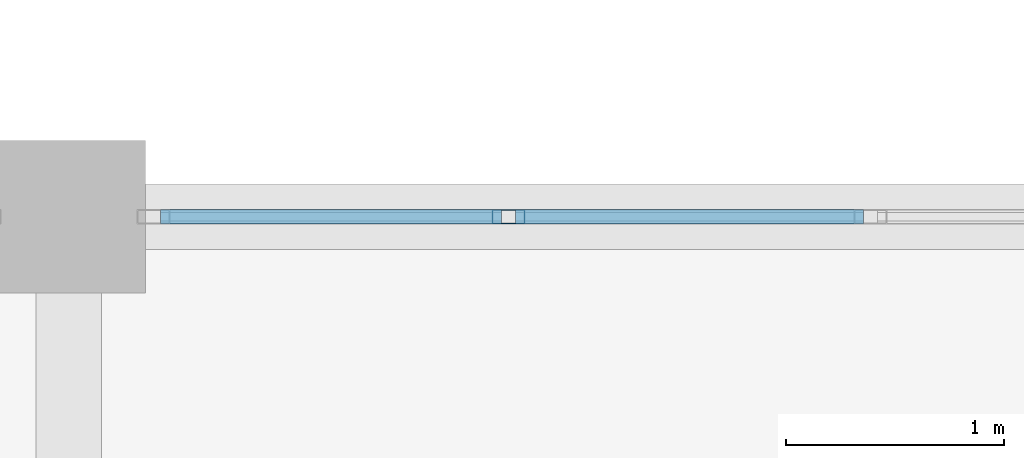
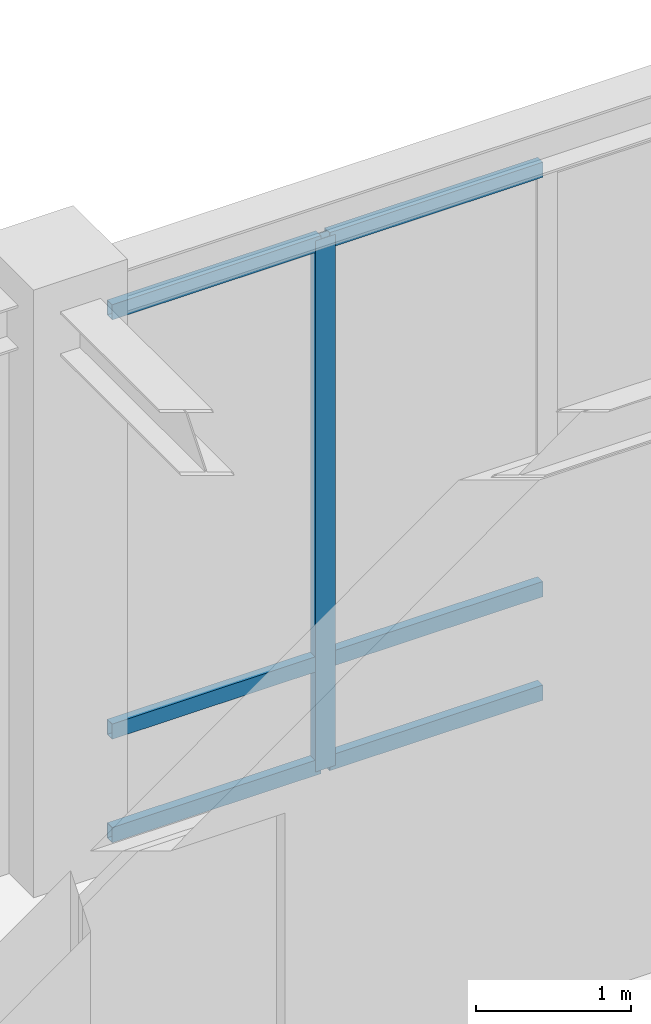
# One storey, part 41 of 92: 7 members, 1 element without a shape of its own.
"""IFC4 building model written with IfcOpenShell, lengths in metres."""

from ifc_helpers import new_model, si_unit, direction, frame, origin, origin_2d, place, context, subcontext, project, spatial, hollow_rectangle, extrude, material, material_profile, profile_set, type_object, element, aggregate, save


model = new_model("IFC4")

# Units and contexts
model_context = context("Model", 3, precision=1e-05, world=origin(), true_north=direction((0.0, 1.0)))
body_context = subcontext(model_context, "Body", "Model", "MODEL_VIEW")
ifc_project = project(units=[si_unit("LENGTHUNIT", "METRE"), si_unit("AREAUNIT", "SQUARE_METRE"), si_unit("VOLUMEUNIT", "CUBIC_METRE"), si_unit("PLANEANGLEUNIT", "RADIAN"), si_unit("MASSUNIT", "GRAM", prefix="KILO")], contexts=[model_context])

# Site, building, storey
site_placement = place(None, origin())
site = spatial("IfcSite", under=ifc_project, at=site_placement, CompositionType="ELEMENT")
building_placement = place(site_placement, origin())
building = spatial("IfcBuilding", under=site, at=building_placement, Name="Lykobir Media Centre", CompositionType="ELEMENT")
storey_placement = place(building_placement, frame((0.0, 0.0, 5.39990234375)))
storey = spatial("IfcBuildingStorey", under=building, at=storey_placement, Name="L01", CompositionType="ELEMENT", Elevation=5.39990234375)

# Curtain wall, members
ifc_material = material(Name="Anodized Aluminium AW-6060", Category="aluminium")
curtain_wall_type = type_object("IfcCurtainWallType", Name="CW-COURT-A", PredefinedType="NOTDEFINED", material=ifc_material)
curtain_wall_placement = place(storey_placement, origin())
curtain_wall = element("IfcCurtainWall", 1, at=curtain_wall_placement, inside=storey, type_object=curtain_wall_type, Name="Curtain wall CW2-L01-0029", PredefinedType="NOTDEFINED")
ifc_material_profile_1 = material_profile(ifc_material, hollow_rectangle(XDim=0.06494140625, YDim=0.14990234375, WallThickness=0.00341796875, at=origin_2d()), Name="ALU MULLION 65x150")
ifc_profile_set_1 = profile_set([ifc_material_profile_1], Name="Anodized Aluminium AW-6060")
member_type_1 = type_object("IfcMemberType", Name="CWM-150", PredefinedType="MULLION", material=ifc_profile_set_1)
member_1_placement = place(storey_placement, frame((110.012939453125, 18.0, 0.0), z_axis=(0.0, 0.0, 1.0), x_axis=(0.0, 1.0, 0.0)))
member_1 = element("IfcMember", 2, at=member_1_placement, type_object=member_type_1, Name="CW2-L01-0029 mullion 2", PredefinedType="MULLION", context=body_context, shape_type="SweptSolid", body=[
    extrude(hollow_rectangle(XDim=0.06494140625, YDim=0.14990234375, WallThickness=0.00341796875, at=origin_2d()), origin(), (0.0, 0.0, 1.0), 4.195068359375),
])
ifc_material_profile_2 = material_profile(ifc_material, hollow_rectangle(XDim=0.06494140625, YDim=0.1201171875, WallThickness=0.0029296875, at=origin_2d()), Name="ALU TRANSOM 65x120")
ifc_profile_set_2 = profile_set([ifc_material_profile_2], Name="Anodized Aluminium AW-6060")
member_type_2 = type_object("IfcMemberType", Name="CWT-120", PredefinedType="USERDEFINED", material=ifc_profile_set_2)
member_2_placement = place(storey_placement, frame((108.419921875, 18.0, 0.03271484375), z_axis=(1.0, 0.0, 0.0), x_axis=(0.0, 1.0, 0.0)))
member_2 = element("IfcMember", 3, at=member_2_placement, type_object=member_type_2, Name="CW2-L01-0029 transom 1.1", ObjectType="TRANSOM", PredefinedType="USERDEFINED", context=body_context, shape_type="SweptSolid", body=[
    extrude(hollow_rectangle(XDim=0.06494140625, YDim=0.1201171875, WallThickness=0.0029296875, at=origin_2d()), origin(), (0.0, 0.0, 1.0), 1.560546875),
])
member_3_placement = place(storey_placement, frame((108.419921875, 18.0, 0.85009765625), z_axis=(1.0, 0.0, 0.0), x_axis=(0.0, 1.0, 0.0)))
member_3 = element("IfcMember", 4, at=member_3_placement, type_object=member_type_2, Name="CW2-L01-0029 transom 1.2", ObjectType="TRANSOM", PredefinedType="USERDEFINED", context=body_context, shape_type="SweptSolid", body=[
    extrude(hollow_rectangle(XDim=0.06494140625, YDim=0.1201171875, WallThickness=0.0029296875, at=origin_2d()), origin(), (0.0, 0.0, 1.0), 1.560546875),
])
member_4_placement = place(storey_placement, frame((108.419921875, 18.0, 4.16259765625), z_axis=(1.0, 0.0, 0.0), x_axis=(0.0, 1.0, 0.0)))
member_4 = element("IfcMember", 5, at=member_4_placement, type_object=member_type_2, Name="CW2-L01-0029 transom 1.3", ObjectType="TRANSOM", PredefinedType="USERDEFINED", context=body_context, shape_type="SweptSolid", body=[
    extrude(hollow_rectangle(XDim=0.06494140625, YDim=0.1201171875, WallThickness=0.0029296875, at=origin_2d()), origin(), (0.0, 0.0, 1.0), 1.560546875),
])
member_5_placement = place(storey_placement, frame((110.04541015625, 18.0, 0.03271484375), z_axis=(1.0, 0.0, 0.0), x_axis=(0.0, 1.0, 0.0)))
member_5 = element("IfcMember", 6, at=member_5_placement, type_object=member_type_2, Name="CW2-L01-0029 transom 2.1", ObjectType="TRANSOM", PredefinedType="USERDEFINED", context=body_context, shape_type="SweptSolid", body=[
    extrude(hollow_rectangle(XDim=0.06494140625, YDim=0.1201171875, WallThickness=0.0029296875, at=origin_2d()), origin(), (0.0, 0.0, 1.0), 1.593017578125),
])
member_6_placement = place(storey_placement, frame((110.04541015625, 18.0, 0.85009765625), z_axis=(1.0, 0.0, 0.0), x_axis=(0.0, 1.0, 0.0)))
member_6 = element("IfcMember", 7, at=member_6_placement, type_object=member_type_2, Name="CW2-L01-0029 transom 2.2", ObjectType="TRANSOM", PredefinedType="USERDEFINED", context=body_context, shape_type="SweptSolid", body=[
    extrude(hollow_rectangle(XDim=0.06494140625, YDim=0.1201171875, WallThickness=0.0029296875, at=origin_2d()), origin(), (0.0, 0.0, 1.0), 1.593017578125),
])
member_7_placement = place(storey_placement, frame((110.04541015625, 18.0, 4.16259765625), z_axis=(1.0, 0.0, 0.0), x_axis=(0.0, 1.0, 0.0)))
member_7 = element("IfcMember", 8, at=member_7_placement, type_object=member_type_2, Name="CW2-L01-0029 transom 2.3", ObjectType="TRANSOM", PredefinedType="USERDEFINED", context=body_context, shape_type="SweptSolid", body=[
    extrude(hollow_rectangle(XDim=0.06494140625, YDim=0.1201171875, WallThickness=0.0029296875, at=origin_2d()), origin(), (0.0, 0.0, 1.0), 1.593017578125),
])
aggregate(curtain_wall, [member_1, member_2, member_3, member_4, member_5, member_6, member_7])

save(model, "model.ifc")
